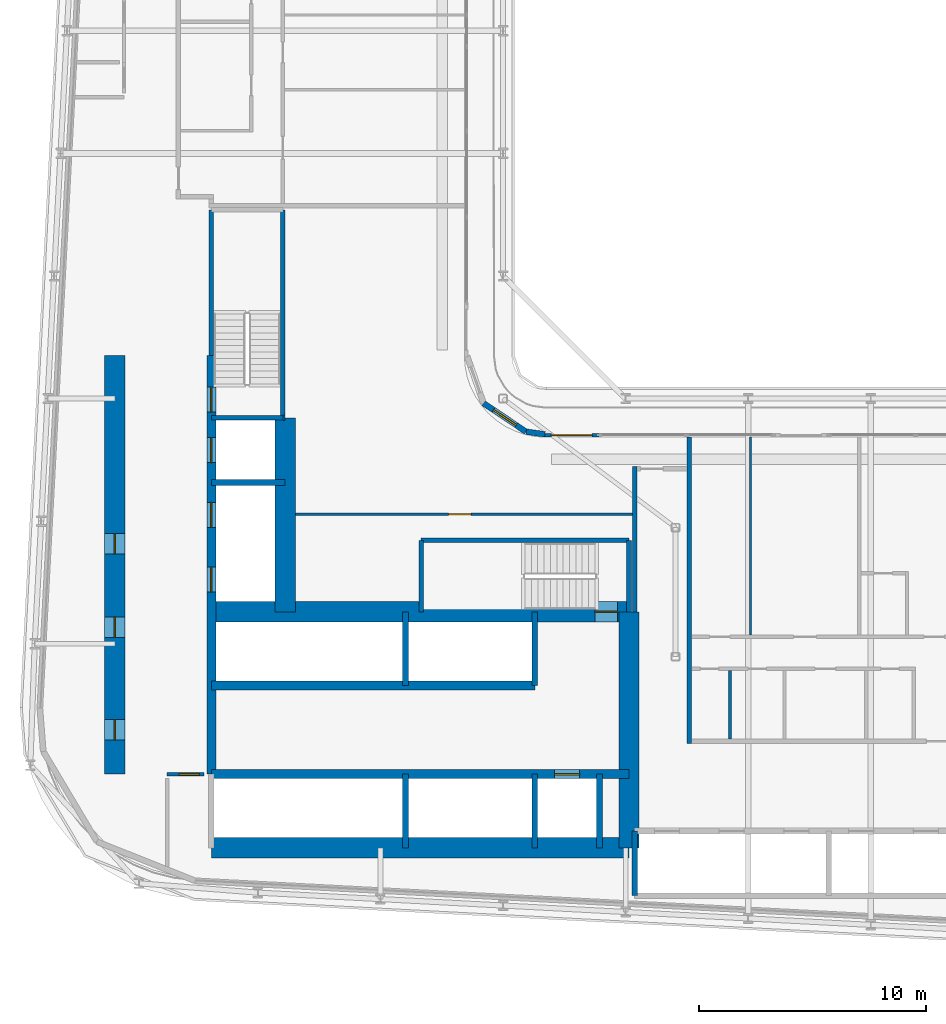
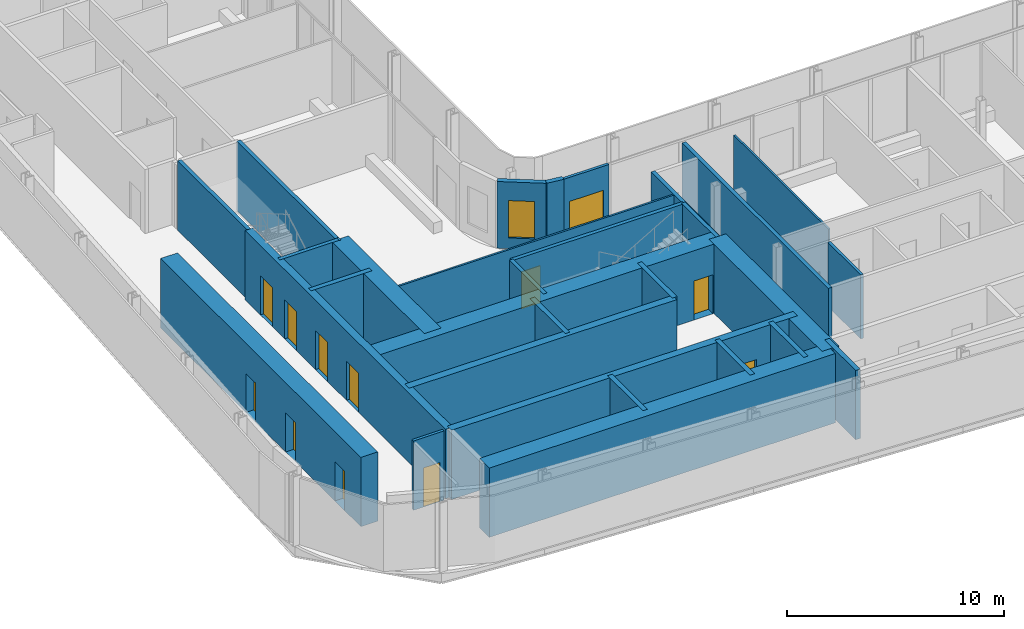
# One storey, part 13 of 27: 31 walls, 12 doors, 1 window, 13 openings.
"""IFC4 building model written with IfcOpenShell, lengths in metres."""

from ifc_helpers import new_model, si_unit, direction, frame, frame_2d, origin, place, context, subcontext, project, spatial, rectangle, extrude, source, transform, mapped, material, layer, layer_set, type_object, element, fill, save


model = new_model("IFC4")

# Units and contexts
model_context = context("Model", 3, precision=1e-05, world=origin(), true_north=direction((0.0, 1.0)))
body_context = subcontext(model_context, "Body", "Model", "MODEL_VIEW")
ifc_project = project(units=[si_unit("LENGTHUNIT", "METRE"), si_unit("AREAUNIT", "SQUARE_METRE"), si_unit("VOLUMEUNIT", "CUBIC_METRE"), si_unit("PLANEANGLEUNIT", "RADIAN"), si_unit("MASSUNIT", "GRAM", prefix="KILO")], contexts=[model_context])

# Site, building, storey
site_placement = place(None, origin())
site = spatial("IfcSite", under=ifc_project, at=site_placement, CompositionType="ELEMENT")
building_placement = place(site_placement, origin())
building = spatial("IfcBuilding", under=site, at=building_placement, Name="Kheshtan School and Residences Tower", CompositionType="ELEMENT")
storey_placement = place(building_placement, frame((0.0, 0.0, 101.89990234375)))
storey = spatial("IfcBuildingStorey", under=building, at=storey_placement, Name="L23", CompositionType="ELEMENT", Elevation=101.89990234375)

# Wall, opening, door
ifc_material_1 = material(Name="Concrete C50/60", Category="concrete")
ifc_layer_1 = layer(ifc_material_1, 0.39990234375)
ifc_layer_set_1 = layer_set([ifc_layer_1], Name="Core wall 400 Concrete C50/60")
wall_type_1 = type_object("IfcWallType", Name="Core wall 400 Concrete C50/60", PredefinedType="SHEAR", material=ifc_layer_set_1)
wall_1_placement = place(storey_placement, frame((34.75, 29.050048828125, 0.0), z_axis=(0.0, 0.0, 1.0), x_axis=(1.0, 0.0, 0.0)))
wall_1 = element("IfcWall", 1, at=wall_1_placement, inside=storey, type_object=wall_type_1, Name="Core wall CW-HALL-S1", PredefinedType="SHEAR", context=body_context, shape_type="SweptSolid", body=[
    extrude(rectangle(XDim=18.39990234375, YDim=0.39990234375, at=frame_2d((9.199951171875, 0.0))), origin(), (0.0, 0.0, 1.0), 3.900146484375),
])
opening_1_placement = place(wall_1_placement, frame((15.125, 0.0, 0.0)))
opening_1 = element("IfcOpeningElement", 2, at=opening_1_placement, cuts=wall_1, Name="Opening LD", PredefinedType="OPENING", context=body_context, shape_type="SweptSolid", body=[
    extrude(rectangle(XDim=1.10009765625, YDim=2.199951171875, at=frame_2d((0.550048828125, 1.10009765625))), frame((0.0, 0.2099609375, 0.0), z_axis=(0.0, -1.0, 0.0), x_axis=(1.0, 0.0, 0.0)), (0.0, 0.0, 1.0), 0.419921875),
])
ifc_material_2 = material(Name="Stainless steel door leaves", Category="steel")
door_type_1 = type_object("IfcDoorType", Name="Lift landing door 1100", OperationType="SLIDING_TO_LEFT", PredefinedType="DOOR", material=ifc_material_2)
shared_shape_1 = source(origin(), body_context, "Body", "SweptSolid", [
    extrude(rectangle(XDim=1.10009765625, YDim=2.199951171875, at=frame_2d((0.550048828125, 1.10009765625))), frame((0.0, 0.02490234375, 0.0), z_axis=(0.0, -1.0, 0.0), x_axis=(1.0, 0.0, 0.0)), (0.0, 0.0, 1.0), 0.050048828125),
])
door_1_placement = place(opening_1_placement, origin())
door_1 = element("IfcDoor", 3, at=door_1_placement, inside=storey, type_object=door_type_1, Name="Lift FFL2 landing door", OperationType="SLIDING_TO_LEFT", OverallHeight=2.199951171875, OverallWidth=1.10009765625, PredefinedType="DOOR", context=body_context, shape_type="MappedRepresentation", body=[
    mapped(shared_shape_1, transform((0.0, 0.0, 0.0), x_axis=(1.0, 0.0, 0.0), y_axis=(0.0, 1.0, 0.0), z_axis=(0.0, 0.0, 1.0), scale=1.0)),
])
fill(opening_1, door_1)

# Wall
wall_2_placement = place(storey_placement, frame((34.75, 32.949951171875, 0.0), z_axis=(0.0, 0.0, 1.0), x_axis=(1.0, 0.0, 0.0)))
element("IfcWall", 4, at=wall_2_placement, inside=storey, type_object=wall_type_1, Name="Core wall CW-HALL-S2", PredefinedType="SHEAR", context=body_context, shape_type="SweptSolid", body=[
    extrude(rectangle(XDim=14.25, YDim=0.39990234375, at=frame_2d((7.125, 0.0))), origin(), (0.0, 0.0, 1.0), 3.900146484375),
])

# Wall, openings, doors
wall_3_placement = place(storey_placement, frame((34.75, 29.050048828125, 0.0), z_axis=(0.0, 0.0, 1.0), x_axis=(0.0, 1.0, 0.0)))
wall_3 = element("IfcWall", 5, at=wall_3_placement, inside=storey, type_object=wall_type_1, Name="Core wall CW-HALL-W1", PredefinedType="SHEAR", context=body_context, shape_type="SweptSolid", body=[
    extrude(rectangle(XDim=18.449951171875, YDim=0.39990234375, at=frame_2d((9.22509765625, 0.0))), origin(), (0.0, 0.0, 1.0), 3.900146484375),
])
opening_2_placement = place(wall_3_placement, frame((8.02490234375, 0.0, 0.0)))
opening_2 = element("IfcOpeningElement", 6, at=opening_2_placement, cuts=wall_3, Name="Opening LD", PredefinedType="OPENING", context=body_context, shape_type="SweptSolid", body=[
    extrude(rectangle(XDim=1.10009765625, YDim=2.199951171875, at=frame_2d((0.550048828125, 1.10009765625))), frame((0.0, 0.2099609375, 0.0), z_axis=(0.0, -1.0, 0.0), x_axis=(1.0, 0.0, 0.0)), (0.0, 0.0, 1.0), 0.419921875),
])
opening_3_placement = place(wall_3_placement, frame((10.875, 0.0, 0.0)))
opening_3 = element("IfcOpeningElement", 7, at=opening_3_placement, cuts=wall_3, Name="Opening LD", PredefinedType="OPENING", context=body_context, shape_type="SweptSolid", body=[
    extrude(rectangle(XDim=1.10009765625, YDim=2.199951171875, at=frame_2d((0.550048828125, 1.10009765625))), frame((0.0, 0.2099609375, 0.0), z_axis=(0.0, -1.0, 0.0), x_axis=(1.0, 0.0, 0.0)), (0.0, 0.0, 1.0), 0.419921875),
])
opening_4_placement = place(wall_3_placement, frame((13.72509765625, 0.0, 0.0)))
opening_4 = element("IfcOpeningElement", 8, at=opening_4_placement, cuts=wall_3, Name="Opening LD", PredefinedType="OPENING", context=body_context, shape_type="SweptSolid", body=[
    extrude(rectangle(XDim=1.10009765625, YDim=2.199951171875, at=frame_2d((0.550048828125, 1.10009765625))), frame((0.0, 0.2099609375, 0.0), z_axis=(0.0, -1.0, 0.0), x_axis=(1.0, 0.0, 0.0)), (0.0, 0.0, 1.0), 0.419921875),
])
opening_5_placement = place(wall_3_placement, frame((15.949951171875, 0.0, 0.0)))
opening_5 = element("IfcOpeningElement", 9, at=opening_5_placement, cuts=wall_3, Name="Opening ST2D", PredefinedType="OPENING", context=body_context, shape_type="SweptSolid", body=[
    extrude(rectangle(XDim=1.10009765625, YDim=2.199951171875, at=frame_2d((0.550048828125, 1.10009765625))), frame((0.0, 0.2099609375, 0.0), z_axis=(0.0, -1.0, 0.0), x_axis=(1.0, 0.0, 0.0)), (0.0, 0.0, 1.0), 0.419921875),
])
door_2_placement = place(opening_2_placement, origin())
door_2 = element("IfcDoor", 10, at=door_2_placement, inside=storey, type_object=door_type_1, Name="Lift SV1 landing door", OperationType="SLIDING_TO_LEFT", OverallHeight=2.199951171875, OverallWidth=1.10009765625, PredefinedType="DOOR", context=body_context, shape_type="MappedRepresentation", body=[
    mapped(shared_shape_1, transform((0.0, 0.0, 0.0), x_axis=(1.0, 0.0, 0.0), y_axis=(0.0, 1.0, 0.0), z_axis=(0.0, 0.0, 1.0), scale=1.0)),
])
fill(opening_2, door_2)
door_3_placement = place(opening_3_placement, origin())
door_3 = element("IfcDoor", 11, at=door_3_placement, inside=storey, type_object=door_type_1, Name="Lift SV2 landing door", OperationType="SLIDING_TO_LEFT", OverallHeight=2.199951171875, OverallWidth=1.10009765625, PredefinedType="DOOR", context=body_context, shape_type="MappedRepresentation", body=[
    mapped(shared_shape_1, transform((0.0, 0.0, 0.0), x_axis=(1.0, 0.0, 0.0), y_axis=(0.0, 1.0, 0.0), z_axis=(0.0, 0.0, 1.0), scale=1.0)),
])
fill(opening_3, door_3)
door_4_placement = place(opening_4_placement, origin())
door_4 = element("IfcDoor", 12, at=door_4_placement, inside=storey, type_object=door_type_1, Name="Lift FFL1 landing door", OperationType="SLIDING_TO_LEFT", OverallHeight=2.199951171875, OverallWidth=1.10009765625, PredefinedType="DOOR", context=body_context, shape_type="MappedRepresentation", body=[
    mapped(shared_shape_1, transform((0.0, 0.0, 0.0), x_axis=(1.0, 0.0, 0.0), y_axis=(0.0, 1.0, 0.0), z_axis=(0.0, 0.0, 1.0), scale=1.0)),
])
fill(opening_4, door_4)
ifc_material_3 = material(Name="Steel door leaf, galvanised", Category="steel")
door_type_2 = type_object("IfcDoorType", Name="Stair door 1100 steel 90 min", OperationType="SINGLE_SWING_LEFT", PredefinedType="DOOR", material=ifc_material_3)
shared_shape_2 = source(origin(), body_context, "Body", "SweptSolid", [
    extrude(rectangle(XDim=1.10009765625, YDim=2.199951171875, at=frame_2d((0.550048828125, 1.10009765625))), frame((0.0, 0.02490234375, 0.0), z_axis=(0.0, -1.0, 0.0), x_axis=(1.0, 0.0, 0.0)), (0.0, 0.0, 1.0), 0.050048828125),
])
door_5_placement = place(opening_5_placement, origin())
door_5 = element("IfcDoor", 13, at=door_5_placement, inside=storey, type_object=door_type_2, Name="Stair ST2 door", OperationType="SINGLE_SWING_RIGHT", OverallHeight=2.199951171875, OverallWidth=1.10009765625, PredefinedType="DOOR", context=body_context, shape_type="MappedRepresentation", body=[
    mapped(shared_shape_2, transform((0.0, 0.0, 0.0), x_axis=(1.0, 0.0, 0.0), y_axis=(0.0, 1.0, 0.0), z_axis=(0.0, 0.0, 1.0), scale=1.0)),
])
fill(opening_5, door_5)

# Wall
ifc_material_4 = material(Name="Concrete C80/95", Category="concrete")
ifc_layer_2 = layer(ifc_material_4, 0.89990234375)
ifc_layer_set_2 = layer_set([ifc_layer_2], Name="Core wall 900 Concrete C80/95")
wall_type_2 = type_object("IfcWallType", Name="Core wall 900 Concrete C80/95", PredefinedType="SHEAR", material=ifc_layer_set_2)
wall_4_placement = place(storey_placement, frame((34.75, 25.800048828125, 0.0), z_axis=(0.0, 0.0, 1.0), x_axis=(1.0, 0.0, 0.0)))
element("IfcWall", 14, at=wall_4_placement, inside=storey, type_object=wall_type_2, Name="Core wall CW-REAR-S", PredefinedType="SHEAR", context=body_context, shape_type="SweptSolid", body=[
    extrude(rectangle(XDim=18.39990234375, YDim=0.89990234375, at=frame_2d((9.199951171875, 0.0))), origin(), (0.0, 0.0, 1.0), 3.900146484375),
])

# Wall, opening, door
wall_5_placement = place(storey_placement, frame((34.75, 36.199951171875, 0.0), z_axis=(0.0, 0.0, 1.0), x_axis=(1.0, 0.0, 0.0)))
wall_5 = element("IfcWall", 15, at=wall_5_placement, inside=storey, type_object=wall_type_2, Name="Core wall CW-FRONT-S", PredefinedType="SHEAR", context=body_context, shape_type="SweptSolid", body=[
    extrude(rectangle(XDim=18.39990234375, YDim=0.89990234375, at=frame_2d((9.199951171875, 0.0))), origin(), (0.0, 0.0, 1.0), 3.900146484375),
])
opening_6_placement = place(wall_5_placement, frame((16.89990234375, 0.0, 0.0)))
opening_6 = element("IfcOpeningElement", 16, at=opening_6_placement, cuts=wall_5, Name="Opening ST1D", PredefinedType="OPENING", context=body_context, shape_type="SweptSolid", body=[
    extrude(rectangle(XDim=1.0, YDim=2.199951171875, at=frame_2d((0.5, 1.10009765625))), frame((0.0, 0.4599609375, 0.0), z_axis=(0.0, -1.0, 0.0), x_axis=(1.0, 0.0, 0.0)), (0.0, 0.0, 1.0), 0.919921875),
])
shared_shape_3 = source(origin(), body_context, "Body", "SweptSolid", [
    extrude(rectangle(XDim=1.0, YDim=2.199951171875, at=frame_2d((0.5, 1.10009765625))), frame((0.0, 0.02490234375, 0.0), z_axis=(0.0, -1.0, 0.0), x_axis=(1.0, 0.0, 0.0)), (0.0, 0.0, 1.0), 0.050048828125),
])
door_6_placement = place(opening_6_placement, origin())
door_6 = element("IfcDoor", 17, at=door_6_placement, inside=storey, type_object=door_type_2, Name="Stair ST1 door", OperationType="SINGLE_SWING_RIGHT", OverallHeight=2.199951171875, OverallWidth=1.0, PredefinedType="DOOR", context=body_context, shape_type="MappedRepresentation", body=[
    mapped(shared_shape_3, transform((0.0, 0.0, 0.0), x_axis=(1.0, 0.0, 0.0), y_axis=(0.0, 1.0, 0.0), z_axis=(0.0, 0.0, 1.0), scale=1.0)),
])
fill(opening_6, door_6)

# Wall
wall_6_placement = place(storey_placement, frame((38.0, 36.199951171875, 0.0), z_axis=(0.0, 0.0, 1.0), x_axis=(0.0, 1.0, 0.0)))
element("IfcWall", 18, at=wall_6_placement, inside=storey, type_object=wall_type_2, Name="Core wall CW-FRONT-W", PredefinedType="SHEAR", context=body_context, shape_type="SweptSolid", body=[
    extrude(rectangle(XDim=8.550048828125, YDim=0.89990234375, at=frame_2d((4.27490234375, 0.0))), origin(), (0.0, 0.0, 1.0), 3.900146484375),
])

# Wall, openings, doors
wall_7_placement = place(storey_placement, frame((30.5, 29.050048828125, 0.0), z_axis=(0.0, 0.0, 1.0), x_axis=(0.0, 1.0, 0.0)))
wall_7 = element("IfcWall", 19, at=wall_7_placement, inside=storey, type_object=wall_type_2, Name="Core wall CW-REAR-W", PredefinedType="SHEAR", context=body_context, shape_type="SweptSolid", body=[
    extrude(rectangle(XDim=18.449951171875, YDim=0.89990234375, at=frame_2d((9.22509765625, 0.0))), origin(), (0.0, 0.0, 1.0), 3.900146484375),
])
opening_7_placement = place(wall_7_placement, frame((1.5, 0.0, 0.0)))
opening_7 = element("IfcOpeningElement", 20, at=opening_7_placement, cuts=wall_7, Name="Opening SR90", PredefinedType="OPENING", context=body_context, shape_type="SweptSolid", body=[
    extrude(rectangle(XDim=0.89990234375, YDim=2.199951171875, at=frame_2d((0.449951171875, 1.10009765625))), frame((0.0, 0.4599609375, 0.0), z_axis=(0.0, -1.0, 0.0), x_axis=(1.0, 0.0, 0.0)), (0.0, 0.0, 1.0), 0.919921875),
])
opening_8_placement = place(wall_7_placement, frame((6.030029296875, 0.0, 0.0)))
opening_8 = element("IfcOpeningElement", 21, at=opening_8_placement, cuts=wall_7, Name="Opening SR90", PredefinedType="OPENING", context=body_context, shape_type="SweptSolid", body=[
    extrude(rectangle(XDim=0.89990234375, YDim=2.199951171875, at=frame_2d((0.449951171875, 1.10009765625))), frame((0.0, 0.4599609375, 0.0), z_axis=(0.0, -1.0, 0.0), x_axis=(1.0, 0.0, 0.0)), (0.0, 0.0, 1.0), 0.919921875),
])
opening_9_placement = place(wall_7_placement, frame((9.699951171875, 0.0, 0.0)))
opening_9 = element("IfcOpeningElement", 22, at=opening_9_placement, cuts=wall_7, Name="Opening SR90", PredefinedType="OPENING", context=body_context, shape_type="SweptSolid", body=[
    extrude(rectangle(XDim=0.89990234375, YDim=2.199951171875, at=frame_2d((0.449951171875, 1.10009765625))), frame((0.0, 0.4599609375, 0.0), z_axis=(0.0, -1.0, 0.0), x_axis=(1.0, 0.0, 0.0)), (0.0, 0.0, 1.0), 0.919921875),
])
door_type_3 = type_object("IfcDoorType", Name="Service room door 900 steel 90 min", OperationType="SINGLE_SWING_LEFT", PredefinedType="DOOR", material=ifc_material_3)
shared_shape_4 = source(origin(), body_context, "Body", "SweptSolid", [
    extrude(rectangle(XDim=0.89990234375, YDim=2.199951171875, at=frame_2d((0.449951171875, 1.10009765625))), frame((0.0, 0.02490234375, 0.0), z_axis=(0.0, -1.0, 0.0), x_axis=(1.0, 0.0, 0.0)), (0.0, 0.0, 1.0), 0.050048828125),
])
door_7_placement = place(opening_7_placement, origin())
door_7 = element("IfcDoor", 23, at=door_7_placement, inside=storey, type_object=door_type_3, Name="Service room door", OperationType="SINGLE_SWING_LEFT", OverallHeight=2.199951171875, OverallWidth=0.89990234375, PredefinedType="DOOR", context=body_context, shape_type="MappedRepresentation", body=[
    mapped(shared_shape_4, transform((0.0, 0.0, 0.0), x_axis=(1.0, 0.0, 0.0), y_axis=(0.0, 1.0, 0.0), z_axis=(0.0, 0.0, 1.0), scale=1.0)),
])
fill(opening_7, door_7)
door_8_placement = place(opening_8_placement, origin())
door_8 = element("IfcDoor", 24, at=door_8_placement, inside=storey, type_object=door_type_3, Name="Service room door", OperationType="SINGLE_SWING_RIGHT", OverallHeight=2.199951171875, OverallWidth=0.89990234375, PredefinedType="DOOR", context=body_context, shape_type="MappedRepresentation", body=[
    mapped(shared_shape_4, transform((0.0, 0.0, 0.0), x_axis=(1.0, 0.0, 0.0), y_axis=(0.0, 1.0, 0.0), z_axis=(0.0, 0.0, 1.0), scale=1.0)),
])
fill(opening_8, door_8)
door_9_placement = place(opening_9_placement, origin())
door_9 = element("IfcDoor", 25, at=door_9_placement, inside=storey, type_object=door_type_3, Name="Service room door", OperationType="SINGLE_SWING_LEFT", OverallHeight=2.199951171875, OverallWidth=0.89990234375, PredefinedType="DOOR", context=body_context, shape_type="MappedRepresentation", body=[
    mapped(shared_shape_4, transform((0.0, 0.0, 0.0), x_axis=(1.0, 0.0, 0.0), y_axis=(0.0, 1.0, 0.0), z_axis=(0.0, 0.0, 1.0), scale=1.0)),
])
fill(opening_9, door_9)

# Walls
wall_8_placement = place(storey_placement, frame((53.14990234375, 25.800048828125, 0.0), z_axis=(0.0, 0.0, 1.0), x_axis=(0.0, 1.0, 0.0)))
element("IfcWall", 26, at=wall_8_placement, inside=storey, type_object=wall_type_2, Name="Core wall CW-EAST", PredefinedType="SHEAR", context=body_context, shape_type="SweptSolid", body=[
    extrude(rectangle(XDim=10.39990234375, YDim=0.89990234375, at=frame_2d((5.199951171875, 0.0))), origin(), (0.0, 0.0, 1.0), 3.900146484375),
])
ifc_material_5 = material(Name="Gypsum board on steel studs with fire boards", Category="steel")
ifc_layer_3 = layer(ifc_material_5, 0.199951171875)
ifc_layer_set_3 = layer_set([ifc_layer_3], Name="Corridor wall 200")
wall_type_3 = type_object("IfcWallType", Name="Corridor wall 200", PredefinedType="PARTITIONING", material=ifc_layer_set_3)
wall_9_placement = place(storey_placement, frame((53.39990234375, 36.198974609375, 0.0), z_axis=(0.0, 0.0, 1.0), x_axis=(0.0, 1.0, 0.0)))
element("IfcWall", 27, at=wall_9_placement, inside=storey, type_object=wall_type_3, Name="Partition L23-027", PredefinedType="PARTITIONING", context=body_context, shape_type="SweptSolid", body=[
    extrude(rectangle(XDim=6.401123046875, YDim=0.199951171875, at=frame_2d((3.20068359375, 0.0))), origin(), (0.0, 0.0, 1.0), 3.60009765625),
])

# Wall, opening, window
ifc_material_6 = material(Name="Concrete C40/50 with ceramic cladding and mineral wool insulation", Category="concrete")
ifc_layer_4 = layer(ifc_material_6, 0.25)
ifc_layer_set_4 = layer_set([ifc_layer_4], Name="External wall 250 ceramic clad")
wall_type_4 = type_object("IfcWallType", Name="External wall 250 ceramic clad", PredefinedType="SOLIDWALL", material=ifc_layer_set_4)
wall_10_placement = place(storey_placement, frame((46.742919921875, 45.388916015625, 0.0), z_axis=(0.0, 0.0, 1.0), x_axis=(0.831449265529, -0.555600682912, 0.0)))
wall_10 = element("IfcWall", 28, at=wall_10_placement, inside=storey, type_object=wall_type_4, Name="External wall L23 6", PredefinedType="SOLIDWALL", context=body_context, shape_type="SweptSolid", body=[
    extrude(rectangle(XDim=2.25146484375, YDim=0.25, at=frame_2d((1.125732421875, 0.0))), origin(), (0.0, 0.0, 1.0), 3.75),
])
opening_10_placement = place(wall_10_placement, frame((0.52490234375, 0.0, 0.60009765625)))
opening_10 = element("IfcOpeningElement", 29, at=opening_10_placement, cuts=wall_10, Name="Opening WN-E", PredefinedType="OPENING", context=body_context, shape_type="SweptSolid", body=[
    extrude(rectangle(XDim=1.199951171875, YDim=2.10009765625, at=frame_2d((0.60009765625, 1.050048828125))), frame((0.0, 0.135009765625, 0.0), z_axis=(0.0, -1.0, 0.0), x_axis=(1.0, 0.0, 0.0)), (0.0, 0.0, 1.0), 0.27001953125),
])
ifc_material_7 = material(Name="Clear low-e glass in thermally broken aluminium frame", Category="aluminium")
window_type = type_object("IfcWindowType", Name="Window WN-E", PartitioningType="SINGLE_PANEL", PredefinedType="WINDOW", material=ifc_material_7)
shared_shape_5 = source(origin(), body_context, "Body", "SweptSolid", [
    extrude(rectangle(XDim=1.199951171875, YDim=2.10009765625, at=frame_2d((0.60009765625, 1.050048828125))), frame((0.0, 0.030029296875, 0.0), z_axis=(0.0, -1.0, 0.0), x_axis=(1.0, 0.0, 0.0)), (0.0, 0.0, 1.0), 0.06005859375),
])
window_placement = place(opening_10_placement, origin())
window = element("IfcWindow", 30, at=window_placement, inside=storey, type_object=window_type, Name="Window L23 6", OverallHeight=2.10009765625, OverallWidth=1.199951171875, PartitioningType="SINGLE_PANEL", PredefinedType="WINDOW", context=body_context, shape_type="MappedRepresentation", body=[
    mapped(shared_shape_5, transform((0.0, 0.0, 0.0), x_axis=(1.0, 0.0, 0.0), y_axis=(0.0, 1.0, 0.0), z_axis=(0.0, 0.0, 1.0), scale=1.0)),
])
fill(opening_10, window)

# Wall
wall_11_placement = place(storey_placement, frame((48.614990234375, 44.137939453125, 0.0), z_axis=(0.0, 0.0, 1.0), x_axis=(0.990741504246, -0.135761819977, 0.0)))
element("IfcWall", 31, at=wall_11_placement, inside=storey, type_object=wall_type_4, Name="External wall L23 7", PredefinedType="SOLIDWALL", context=body_context, shape_type="SweptSolid", body=[
    extrude(rectangle(XDim=0.83984375, YDim=0.25, at=frame_2d((0.419921875, 0.0))), origin(), (0.0, 0.0, 1.0), 3.75),
])

# Wall, opening, door
ifc_material_8 = material(Name="Aluminium frame wall with insulated infill", Category="aluminium")
ifc_layer_5 = layer(ifc_material_8, 0.14990234375)
ifc_layer_set_5 = layer_set([ifc_layer_5], Name="Glazing frame wall 150")
wall_type_5 = type_object("IfcWallType", Name="Glazing frame wall 150", PredefinedType="SOLIDWALL", material=ifc_layer_set_5)
wall_12_placement = place(storey_placement, frame((49.429931640625, 43.97509765625, 0.0), z_axis=(0.0, 0.0, 1.0), x_axis=(1.0, 0.0, 0.0)))
wall_12 = element("IfcWall", 32, at=wall_12_placement, inside=storey, type_object=wall_type_5, Name="Balcony door wall L23 8.1", PredefinedType="SOLIDWALL", context=body_context, shape_type="SweptSolid", body=[
    extrude(rectangle(XDim=2.400146484375, YDim=0.14990234375, at=frame_2d((1.2001953125, 0.0))), origin(), (0.0, 0.0, 1.0), 3.75),
])
opening_11_placement = place(wall_12_placement, frame((0.300048828125, 0.0, 0.0)))
opening_11 = element("IfcOpeningElement", 33, at=opening_11_placement, cuts=wall_12, Name="Opening BD", PredefinedType="OPENING", context=body_context, shape_type="SweptSolid", body=[
    extrude(rectangle(XDim=1.800048828125, YDim=2.39990234375, at=frame_2d((0.89990234375, 1.199951171875))), frame((0.0, 0.0849609375, 0.0), z_axis=(0.0, -1.0, 0.0), x_axis=(1.0, 0.0, 0.0)), (0.0, 0.0, 1.0), 0.169921875),
])
door_type_4 = type_object("IfcDoorType", Name="Balcony sliding door", OperationType="SLIDING_TO_LEFT", PredefinedType="DOOR", material=ifc_material_7)
shared_shape_6 = source(origin(), body_context, "Body", "SweptSolid", [
    extrude(rectangle(XDim=1.800048828125, YDim=2.39990234375, at=frame_2d((0.89990234375, 1.199951171875))), frame((0.0, 0.02490234375, 0.0), z_axis=(0.0, -1.0, 0.0), x_axis=(1.0, 0.0, 0.0)), (0.0, 0.0, 1.0), 0.050048828125),
])
door_10_placement = place(opening_11_placement, origin())
door_10 = element("IfcDoor", 34, at=door_10_placement, inside=storey, type_object=door_type_4, Name="Balcony door L23 8.1", OperationType="SLIDING_TO_LEFT", OverallHeight=2.39990234375, OverallWidth=1.800048828125, PredefinedType="DOOR", context=body_context, shape_type="MappedRepresentation", body=[
    mapped(shared_shape_6, transform((0.0, 0.0, 0.0), x_axis=(1.0, 0.0, 0.0), y_axis=(0.0, 1.0, 0.0), z_axis=(0.0, 0.0, 1.0), scale=1.0)),
])
fill(opening_11, door_10)

ifc_material_9 = material(Name="Gypsum board on steel studs", Category="steel")
ifc_layer_6 = layer(ifc_material_9, 0.10009765625)
ifc_layer_set_6 = layer_set([ifc_layer_6], Name="Gypsum partition 100")
wall_type_6 = type_object("IfcWallType", Name="Gypsum partition 100", PredefinedType="PARTITIONING", material=ifc_layer_set_6)
wall_13_placement = place(storey_placement, frame((38.448974609375, 40.5, 0.0), z_axis=(0.0, 0.0, 1.0), x_axis=(1.0, 0.0, 0.0)))
wall_13 = element("IfcWall", 35, at=wall_13_placement, inside=storey, type_object=wall_type_6, Name="Partition L23-025", PredefinedType="PARTITIONING", context=body_context, shape_type="SweptSolid", body=[
    extrude(rectangle(XDim=14.85107421875, YDim=0.10009765625, at=frame_2d((7.425537109375, 0.0))), origin(), (0.0, 0.0, 1.0), 3.60009765625),
])
opening_12_placement = place(wall_13_placement, frame((6.7509765625, 0.0, 0.0)))
opening_12 = element("IfcOpeningElement", 36, at=opening_12_placement, cuts=wall_13, Name="Opening D23-050", PredefinedType="OPENING", context=body_context, shape_type="SweptSolid", body=[
    extrude(rectangle(XDim=1.0, YDim=2.10009765625, at=frame_2d((0.5, 1.050048828125))), frame((0.0, 0.06005859375, 0.0), z_axis=(0.0, -1.0, 0.0), x_axis=(1.0, 0.0, 0.0)), (0.0, 0.0, 1.0), 0.1201171875),
])
ifc_material_10 = material(Name="Veneered timber door leaf", Category="wood")
door_type_5 = type_object("IfcDoorType", Name="Door 1000 x 2100", OperationType="SINGLE_SWING_LEFT", PredefinedType="DOOR", material=ifc_material_10)
shared_shape_7 = source(origin(), body_context, "Body", "SweptSolid", [
    extrude(rectangle(XDim=1.0, YDim=2.10009765625, at=frame_2d((0.5, 1.050048828125))), frame((0.0, 0.02490234375, 0.0), z_axis=(0.0, -1.0, 0.0), x_axis=(1.0, 0.0, 0.0)), (0.0, 0.0, 1.0), 0.050048828125),
])
door_11_placement = place(opening_12_placement, origin())
door_11 = element("IfcDoor", 37, at=door_11_placement, inside=storey, type_object=door_type_5, Name="Door D23-050", OperationType="SINGLE_SWING_LEFT", OverallHeight=2.10009765625, OverallWidth=1.0, PredefinedType="DOOR", context=body_context, shape_type="MappedRepresentation", body=[
    mapped(shared_shape_7, transform((0.0, 0.0, 0.0), x_axis=(1.0, 0.0, 0.0), y_axis=(0.0, 1.0, 0.0), z_axis=(0.0, 0.0, 1.0), scale=1.0)),
])
fill(opening_12, door_11)

# Wall
wall_14_placement = place(storey_placement, frame((58.5, 35.175048828125, 0.0), z_axis=(0.0, 0.0, 1.0), x_axis=(0.0, 1.0, 0.0)))
element("IfcWall", 38, at=wall_14_placement, inside=storey, type_object=wall_type_6, Name="Partition L23-034", PredefinedType="PARTITIONING", context=body_context, shape_type="SweptSolid", body=[
    extrude(rectangle(XDim=8.724853515625, YDim=0.10009765625, at=frame_2d((4.3623046875, 0.0))), origin(), (0.0, 0.0, 1.0), 3.072021484375),
])

# Wall, opening, door
ifc_material_11 = material(Name="Fire-board shaft wall system")
ifc_layer_7 = layer(ifc_material_11, 0.14990234375)
ifc_layer_set_7 = layer_set([ifc_layer_7], Name="Service room wall 150")
wall_type_7 = type_object("IfcWallType", Name="Service room wall 150", PredefinedType="PARTITIONING", material=ifc_layer_set_7)
wall_15_placement = place(storey_placement, frame((32.804931640625, 29.050048828125, 0.0), z_axis=(0.0, 0.0, 1.0), x_axis=(1.0, 0.0, 0.0)))
wall_15 = element("IfcWall", 39, at=wall_15_placement, inside=storey, type_object=wall_type_7, Name="Service room wall", PredefinedType="PARTITIONING", context=body_context, shape_type="SweptSolid", body=[
    extrude(rectangle(XDim=1.625, YDim=0.14990234375, at=frame_2d((0.8125, 0.0))), origin(), (0.0, 0.0, 1.0), 3.900146484375),
])
opening_13_placement = place(wall_15_placement, frame((0.52294921875, 0.0, 0.0)))
opening_13 = element("IfcOpeningElement", 40, at=opening_13_placement, cuts=wall_15, Name="Opening SR90", PredefinedType="OPENING", context=body_context, shape_type="SweptSolid", body=[
    extrude(rectangle(XDim=0.89990234375, YDim=2.199951171875, at=frame_2d((0.449951171875, 1.10009765625))), frame((0.0, 0.0849609375, 0.0), z_axis=(0.0, -1.0, 0.0), x_axis=(1.0, 0.0, 0.0)), (0.0, 0.0, 1.0), 0.169921875),
])
door_12_placement = place(opening_13_placement, origin())
door_12 = element("IfcDoor", 41, at=door_12_placement, inside=storey, type_object=door_type_3, Name="Service room door", OperationType="SINGLE_SWING_LEFT", OverallHeight=2.199951171875, OverallWidth=0.89990234375, PredefinedType="DOOR", context=body_context, shape_type="MappedRepresentation", body=[
    mapped(shared_shape_4, transform((0.0, 0.0, 0.0), x_axis=(1.0, 0.0, 0.0), y_axis=(0.0, 1.0, 0.0), z_axis=(0.0, 0.0, 1.0), scale=1.0)),
])
fill(opening_13, door_12)

# Walls
ifc_layer_8 = layer(ifc_material_11, 0.25)
ifc_layer_set_8 = layer_set([ifc_layer_8], Name="Shaft lining wall 250")
wall_type_8 = type_object("IfcWallType", Name="Shaft lining wall 250", PredefinedType="PARTITIONING", material=ifc_layer_set_8)
for number, where, z_axis, x_axis, name in (
    (42, (43.300048828125, 25.800048828125, 0.0), (0.0, 0.0, 1.0), (0.0, 1.0, 0.0), "Shaft lining wall"),
    (43, (43.300048828125, 32.949951171875, 0.0), (0.0, 0.0, 1.0), (0.0, 1.0, 0.0), "Shaft lining wall"),
    (44, (49.0, 25.800048828125, 0.0), (0.0, 0.0, 1.0), (0.0, 1.0, 0.0), "Shaft lining wall"),
    (45, (49.0, 32.949951171875, 0.0), (0.0, 0.0, 1.0), (0.0, 1.0, 0.0), "Shaft lining wall"),
    (46, (51.85009765625, 25.800048828125, 0.0), (0.0, 0.0, 1.0), (0.0, 1.0, 0.0), "Shaft lining wall"),
):
    element("IfcWall", number, at=place(storey_placement, frame(where, z_axis=z_axis, x_axis=x_axis)), inside=storey, type_object=wall_type_8, Name=name, PredefinedType="PARTITIONING", context=body_context, shape_type="SweptSolid", body=[
        extrude(rectangle(XDim=3.25, YDim=0.25, at=frame_2d((1.625, 0.0))), origin(), (0.0, 0.0, 1.0), 3.900146484375),
    ])
wall_16_placement = place(storey_placement, frame((53.39990234375, 23.699951171875, 0.0), z_axis=(0.0, 0.0, 1.0), x_axis=(0.0, 1.0, 0.0)))
element("IfcWall", 47, at=wall_16_placement, inside=storey, type_object=wall_type_8, Name="Shaft lining wall", PredefinedType="PARTITIONING", context=body_context, shape_type="SweptSolid", body=[
    extrude(rectangle(XDim=2.85009765625, YDim=0.25, at=frame_2d((1.425048828125, 0.0))), origin(), (0.0, 0.0, 1.0), 3.900146484375),
])
wall_17_placement = place(storey_placement, frame((34.75, 41.89990234375, 0.0), z_axis=(0.0, 0.0, 1.0), x_axis=(1.0, 0.0, 0.0)))
element("IfcWall", 48, at=wall_17_placement, inside=storey, type_object=wall_type_8, Name="Shaft lining wall", PredefinedType="PARTITIONING", context=body_context, shape_type="SweptSolid", body=[
    extrude(rectangle(XDim=3.25, YDim=0.25, at=frame_2d((1.625, 0.0))), origin(), (0.0, 0.0, 1.0), 3.900146484375),
])
wall_18_placement = place(storey_placement, frame((37.89990234375, 44.75, 0.0), z_axis=(0.0, 0.0, 1.0), x_axis=(1.0, 0.0, 0.0)))
element("IfcWall", 49, at=wall_18_placement, inside=storey, type_object=wall_type_8, Name="Shaft lining wall", PredefinedType="PARTITIONING", context=body_context, shape_type="SweptSolid", body=[
    extrude(rectangle(XDim=0.10009765625, YDim=0.25, at=frame_2d((0.050048828125, 0.0))), origin(), (0.0, 0.0, 1.0), 3.900146484375),
])
ifc_material_12 = material(Name="Concrete C40/50", Category="concrete")
ifc_layer_9 = layer(ifc_material_12, 0.199951171875)
ifc_layer_set_9 = layer_set([ifc_layer_9], Name="Stair enclosure wall 200 Concrete C40/50")
wall_type_9 = type_object("IfcWallType", Name="Stair enclosure wall 200 Concrete C40/50", PredefinedType="SHEAR", material=ifc_layer_set_9)
wall_19_placement = place(storey_placement, frame((43.989990234375, 39.35009765625, 0.0), z_axis=(0.0, 0.0, 1.0), x_axis=(1.0, 0.0, 0.0)))
element("IfcWall", 50, at=wall_19_placement, inside=storey, type_object=wall_type_9, Name="Stair enclosure wall ST1", PredefinedType="SHEAR", context=body_context, shape_type="SweptSolid", body=[
    extrude(rectangle(XDim=9.159912109375, YDim=0.199951171875, at=frame_2d((4.580078125, 0.0))), origin(), (0.0, 0.0, 1.0), 3.900146484375),
])
for number, where, z_axis, x_axis, name in (
    (51, (43.989990234375, 36.199951171875, 0.0), (0.0, 0.0, 1.0), (0.0, 1.0, 0.0), "Stair enclosure wall ST1"),
    (52, (53.14990234375, 36.199951171875, 0.0), (0.0, 0.0, 1.0), (0.0, 1.0, 0.0), "Stair enclosure wall ST1"),
):
    element("IfcWall", number, at=place(storey_placement, frame(where, z_axis=z_axis, x_axis=x_axis)), inside=storey, type_object=wall_type_9, Name=name, PredefinedType="SHEAR", context=body_context, shape_type="SweptSolid", body=[
        extrude(rectangle(XDim=3.150146484375, YDim=0.199951171875, at=frame_2d((1.5751953125, 0.0))), origin(), (0.0, 0.0, 1.0), 3.900146484375),
    ])
wall_20_placement = place(storey_placement, frame((34.75, 44.75, 0.0), z_axis=(0.0, 0.0, 1.0), x_axis=(1.0, 0.0, 0.0)))
element("IfcWall", 53, at=wall_20_placement, inside=storey, type_object=wall_type_9, Name="Stair enclosure wall ST2", PredefinedType="SHEAR", context=body_context, shape_type="SweptSolid", body=[
    extrude(rectangle(XDim=3.14990234375, YDim=0.199951171875, at=frame_2d((1.574951171875, 0.0))), origin(), (0.0, 0.0, 1.0), 3.900146484375),
])
wall_21_placement = place(storey_placement, frame((34.75, 47.5, 0.0), z_axis=(0.0, 0.0, 1.0), x_axis=(0.0, 1.0, 0.0)))
element("IfcWall", 54, at=wall_21_placement, inside=storey, type_object=wall_type_9, Name="Stair enclosure wall ST2", PredefinedType="SHEAR", context=body_context, shape_type="SweptSolid", body=[
    extrude(rectangle(XDim=6.409912109375, YDim=0.199951171875, at=frame_2d((3.205078125, 0.0))), origin(), (0.0, 0.0, 1.0), 3.900146484375),
])
wall_22_placement = place(storey_placement, frame((37.89990234375, 44.75, 0.0), z_axis=(0.0, 0.0, 1.0), x_axis=(0.0, 1.0, 0.0)))
element("IfcWall", 55, at=wall_22_placement, inside=storey, type_object=wall_type_9, Name="Stair enclosure wall ST2", PredefinedType="SHEAR", context=body_context, shape_type="SweptSolid", body=[
    extrude(rectangle(XDim=9.159912109375, YDim=0.199951171875, at=frame_2d((4.580078125, 0.0))), origin(), (0.0, 0.0, 1.0), 3.900146484375),
])
ifc_material_13 = material(Name="Twin gypsum board on steel studs with mineral wool", Category="steel")
ifc_layer_10 = layer(ifc_material_13, 0.199951171875)
ifc_layer_set_10 = layer_set([ifc_layer_10], Name="Unit demising wall 200")
wall_type_10 = type_object("IfcWallType", Name="Unit demising wall 200", PredefinedType="PARTITIONING", material=ifc_layer_set_10)
wall_23_placement = place(storey_placement, frame((55.800048828125, 30.39990234375, 0.0), z_axis=(0.0, 0.0, 1.0), x_axis=(0.0, 1.0, 0.0)))
element("IfcWall", 56, at=wall_23_placement, inside=storey, type_object=wall_type_10, Name="Partition L23-029", PredefinedType="PARTITIONING", context=body_context, shape_type="SweptSolid", body=[
    extrude(rectangle(XDim=13.5, YDim=0.199951171875, at=frame_2d((6.75, 0.0))), origin(), (0.0, 0.0, 1.0), 3.60009765625),
])
ifc_material_14 = material(Name="Moisture-resistant gypsum board on steel studs", Category="steel")
ifc_layer_11 = layer(ifc_material_14, 0.14990234375)
ifc_layer_set_11 = layer_set([ifc_layer_11], Name="Wet-room partition 150")
wall_type_11 = type_object("IfcWallType", Name="Wet-room partition 150", PredefinedType="PARTITIONING", material=ifc_layer_set_11)
wall_24_placement = place(storey_placement, frame((57.60009765625, 30.60009765625, 0.0), z_axis=(0.0, 0.0, 1.0), x_axis=(0.0, 1.0, 0.0)))
element("IfcWall", 57, at=wall_24_placement, inside=storey, type_object=wall_type_11, Name="Partition L23-033", PredefinedType="PARTITIONING", context=body_context, shape_type="SweptSolid", body=[
    extrude(rectangle(XDim=3.02490234375, YDim=0.14990234375, at=frame_2d((1.512451171875, 0.0))), origin(), (0.0, 0.0, 1.0), 3.60009765625),
])

save(model, "model.ifc")
